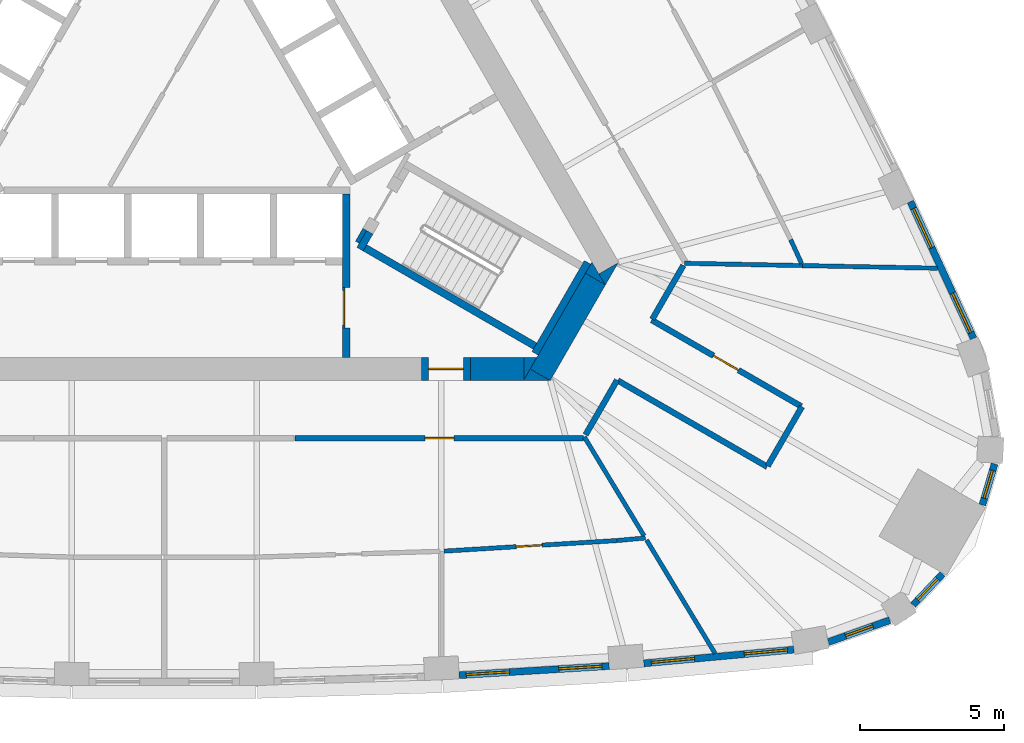
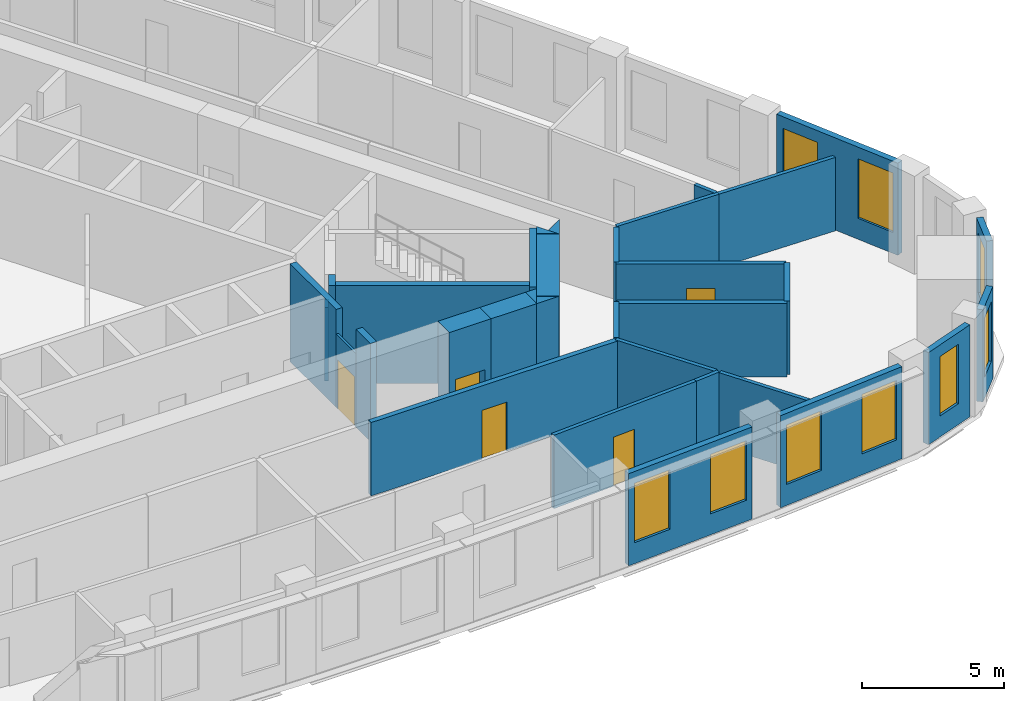
# One storey, part 6 of 10: 33 walls, 9 windows, 5 doors, 14 openings.
"""IFC4 building model written with IfcOpenShell, lengths in metres."""

from ifc_helpers import new_model, si_unit, direction, frame, frame_2d, origin, place, context, subcontext, project, spatial, polyline, rectangle, outline, extrude, material, layer, layer_set, type_object, element, fill, save


model = new_model("IFC4")

# Units and contexts
model_context = context("Model", 3, precision=1e-05, world=origin(), true_north=direction((0.0, 1.0)))
body_context = subcontext(model_context, "Body", "Model", "MODEL_VIEW")
ifc_project = project(units=[si_unit("LENGTHUNIT", "METRE"), si_unit("AREAUNIT", "SQUARE_METRE"), si_unit("VOLUMEUNIT", "CUBIC_METRE"), si_unit("PLANEANGLEUNIT", "RADIAN"), si_unit("MASSUNIT", "GRAM", prefix="KILO")], contexts=[model_context])

# Site, building, storey
site_placement = place(None, origin())
site = spatial("IfcSite", under=ifc_project, at=site_placement, CompositionType="ELEMENT")
building_placement = place(site_placement, origin())
building = spatial("IfcBuilding", under=site, at=building_placement, Name="Mestral Congress Tower", CompositionType="ELEMENT")
storey_placement = place(building_placement, frame((0.0, 0.0, 158.39990234375)))
storey = spatial("IfcBuildingStorey", under=building, at=storey_placement, Name="L37", CompositionType="ELEMENT", Elevation=158.39990234375)

# Wall
ifc_material_1 = material(Name="Fire-rated board partition")
ifc_layer_1 = layer(ifc_material_1, 0.14990234375)
ifc_layer_set_1 = layer_set([ifc_layer_1], Name="Fire-rated board partition")
wall_type_1 = type_object("IfcWallType", Name="Core partition 150", PredefinedType="PARTITIONING", material=ifc_layer_set_1)
wall_1_placement = place(storey_placement, frame((6.94482421875, -5.22216796875, 0.0), z_axis=(0.0, 0.0, 1.0), x_axis=(-0.499818422106, -0.866130212453, 0.0)))
element("IfcWall", 1, at=wall_1_placement, inside=storey, type_object=wall_type_1, Name="L37 core wall", PredefinedType="PARTITIONING", context=body_context, shape_type="SweptSolid", body=[
    extrude(rectangle(XDim=0.513916015625, YDim=0.14990234375, at=frame_2d((0.2568359375, 0.0))), origin(), (0.0, 0.0, 1.0), 3.150146484375),
])

# Wall, opening, door
ifc_layer_2 = layer(ifc_material_1, 0.090087890625)
ifc_layer_set_2 = layer_set([ifc_layer_2], Name="Fire-rated board partition")
wall_type_2 = type_object("IfcWallType", Name="Core partition 150 door-wall 90", PredefinedType="PARTITIONING", material=ifc_layer_set_2)
wall_2_placement = place(storey_placement, frame((6.219970703125, -7.23681640625, 0.0), z_axis=(0.0, 0.0, 1.0), x_axis=(0.0, -1.0, 0.0)))
wall_2 = element("IfcWall", 2, at=wall_2_placement, inside=storey, type_object=wall_type_2, Name="L37 door wall", PredefinedType="PARTITIONING", context=body_context, shape_type="SweptSolid", body=[
    extrude(rectangle(XDim=1.400146484375, YDim=0.090087890625, at=frame_2d((0.7001953125, 0.0))), origin(), (0.0, 0.0, 1.0), 3.150146484375),
])
opening_1_placement = place(wall_2_placement, frame((0.10009765625, 0.0, 0.0)))
opening_1 = element("IfcOpeningElement", 3, at=opening_1_placement, cuts=wall_2, Name="Opening LB0-WL1", PredefinedType="OPENING", context=body_context, shape_type="SweptSolid", body=[
    extrude(rectangle(XDim=1.199951171875, YDim=2.10009765625, at=frame_2d((0.60009765625, 1.050048828125))), frame((0.0, 0.054931640625, 0.0), z_axis=(0.0, -1.0, 0.0), x_axis=(1.0, 0.0, 0.0)), (0.0, 0.0, 1.0), 0.110107421875),
])
ifc_material_2 = material(Name="Fire-rated steel door set", Category="steel")
door_type_1 = type_object("IfcDoorType", Name="Core door LB 1200x2100", OperationType="SINGLE_SWING_LEFT", PredefinedType="DOOR", material=ifc_material_2)
door_1_placement = place(opening_1_placement, origin())
door_1 = element("IfcDoor", 4, at=door_1_placement, inside=storey, type_object=door_type_1, Name="Door LB0-WL1", OperationType="SINGLE_SWING_LEFT", OverallHeight=2.10009765625, OverallWidth=1.199951171875, PredefinedType="DOOR", context=body_context, shape_type="SweptSolid", body=[
    extrude(rectangle(XDim=1.199951171875, YDim=2.10009765625, at=frame_2d((0.60009765625, 1.050048828125))), frame((0.0, 0.02490234375, 0.0), z_axis=(0.0, -1.0, 0.0), x_axis=(1.0, 0.0, 0.0)), (0.0, 0.0, 1.0), 0.050048828125),
])
fill(opening_1, door_1)

# Walls
ifc_material_3 = material(Name="Concrete C60/75", Category="concrete")
ifc_layer_3 = layer(ifc_material_3, 0.800048828125)
ifc_layer_set_3 = layer_set([ifc_layer_3], Name="Concrete C60/75")
wall_type_3 = type_object("IfcWallType", Name="Core wall RC 800", PredefinedType="SOLIDWALL", material=ifc_layer_set_3)
placement = place(storey_placement, origin())
element("IfcWall", 5, at=placement, inside=storey, type_object=wall_type_3, Name="L37 core wall", PredefinedType="SOLIDWALL", context=body_context, shape_type="SweptSolid", body=[
    extrude(outline(polyline([(15.27099609375, -7.14990234375), (15.046875, -6.761962890625), (15.718994140625, -6.3740234375), (15.27099609375, -7.14990234375)])), origin(), (0.0, 0.0, 1.0), 4.2001953125),
])
wall_4_placement = place(storey_placement, frame((13.018310546875, -10.251708984375, 0.0), z_axis=(0.0, 0.0, 1.0), x_axis=(0.499984020225, 0.866034629516, 0.0)))
element("IfcWall", 6, at=wall_4_placement, inside=storey, type_object=wall_type_3, Name="L37 core wall", PredefinedType="SOLIDWALL", context=body_context, shape_type="SweptSolid", body=[
    extrude(rectangle(XDim=3.824462890625, YDim=0.800048828125, at=frame_2d((1.912109375, 0.0))), origin(), (0.0, 0.0, 1.0), 4.2001953125),
])
element("IfcWall", 7, at=placement, inside=storey, type_object=wall_type_3, Name="L37 core wall", PredefinedType="SOLIDWALL", context=body_context, shape_type="SweptSolid", body=[
    extrude(outline(polyline([(12.44189453125, -10.449951171875), (12.6708984375, -10.053466796875), (13.35791015625, -10.449951171875), (12.44189453125, -10.449951171875)])), origin(), (0.0, 0.0, 1.0), 4.2001953125),
])
element("IfcWall", 8, at=placement, inside=storey, type_object=wall_type_3, Name="L37 core wall", PredefinedType="SOLIDWALL", context=body_context, shape_type="SweptSolid", body=[
    extrude(outline(polyline([(14.80908203125, -6.35009765625), (15.257080078125, -7.1259765625), (14.5849609375, -6.738037109375), (14.80908203125, -6.35009765625)])), origin(), (0.0, 0.0, 1.0), 4.2001953125),
])
wall_7_placement = place(storey_placement, frame((10.6044921875, -10.050048828125, 0.0), z_axis=(0.0, 0.0, 1.0), x_axis=(1.0, 0.0, 0.0)))
element("IfcWall", 9, at=wall_7_placement, inside=storey, type_object=wall_type_3, Name="L37 core wall", PredefinedType="SOLIDWALL", context=body_context, shape_type="SweptSolid", body=[
    extrude(rectangle(XDim=1.849365234375, YDim=0.800048828125, at=frame_2d((0.9248046875, 0.0))), origin(), (0.0, 0.0, 1.0), 4.2001953125),
])
element("IfcWall", 10, at=placement, inside=storey, type_object=wall_type_3, Name="L37 core wall", PredefinedType="SOLIDWALL", context=body_context, shape_type="SweptSolid", body=[
    extrude(outline(polyline([(12.90380859375, -9.64990234375), (12.455810546875, -10.42578125), (12.455810546875, -9.64990234375), (12.90380859375, -9.64990234375)])), origin(), (0.0, 0.0, 1.0), 4.2001953125),
])

# Wall, opening, door
wall_9_placement = place(storey_placement, frame((10.6044921875, -10.050048828125, 0.0), z_axis=(0.0, 0.0, 1.0), x_axis=(-1.0, 0.0, 0.0)))
wall_9 = element("IfcWall", 11, at=wall_9_placement, inside=storey, type_object=wall_type_3, Name="L37 door wall", PredefinedType="SOLIDWALL", context=body_context, shape_type="SweptSolid", body=[
    extrude(rectangle(XDim=1.699951171875, YDim=0.800048828125, at=frame_2d((0.85009765625, 0.0))), origin(), (0.0, 0.0, 1.0), 4.2001953125),
])
opening_2_placement = place(wall_9_placement, frame((0.25, 0.0, 0.0)))
opening_2 = element("IfcOpeningElement", 12, at=opening_2_placement, cuts=wall_9, Name="Opening XD1", PredefinedType="OPENING", context=body_context, shape_type="SweptSolid", body=[
    extrude(rectangle(XDim=1.199951171875, YDim=2.10009765625, at=frame_2d((0.60009765625, 1.050048828125))), frame((0.0, 0.409912109375, 0.0), z_axis=(0.0, -1.0, 0.0), x_axis=(1.0, 0.0, 0.0)), (0.0, 0.0, 1.0), 0.820068359375),
])
door_type_2 = type_object("IfcDoorType", Name="Core door XD 1200x2100", OperationType="SINGLE_SWING_LEFT", PredefinedType="DOOR", material=ifc_material_2)
door_2_placement = place(opening_2_placement, origin())
door_2 = element("IfcDoor", 13, at=door_2_placement, inside=storey, type_object=door_type_2, Name="Door XD1", OperationType="SINGLE_SWING_LEFT", OverallHeight=2.10009765625, OverallWidth=1.199951171875, PredefinedType="DOOR", context=body_context, shape_type="SweptSolid", body=[
    extrude(rectangle(XDim=1.199951171875, YDim=2.10009765625, at=frame_2d((0.60009765625, 1.050048828125))), frame((0.0, 0.02490234375, 0.0), z_axis=(0.0, -1.0, 0.0), x_axis=(1.0, 0.0, 0.0)), (0.0, 0.0, 1.0), 0.050048828125),
])
fill(opening_2, door_2)

# Wall, openings, windows
ifc_material_4 = material(Name="Precast concrete C40/50 with limestone facing", Category="masonry")
ifc_layer_4 = layer(ifc_material_4, 0.239990234375)
ifc_layer_set_4 = layer_set([ifc_layer_4], Name="Precast concrete C40/50 with limestone facing")
wall_type_4 = type_object("IfcWallType", Name="Facade stone wall 240", PredefinedType="SOLIDWALL", material=ifc_layer_set_4)
wall_10_placement = place(storey_placement, frame((10.210693359375, -20.656005859375, 0.0), z_axis=(0.0, 0.0, 1.0), x_axis=(0.998135294646, 0.061040425794, 0.0)))
wall_10 = element("IfcWall", 14, at=wall_10_placement, inside=storey, type_object=wall_type_4, Name="Facade wall F0-05", PredefinedType="SOLIDWALL", context=body_context, shape_type="SweptSolid", body=[
    extrude(rectangle(XDim=5.20361328125, YDim=0.239990234375, at=frame_2d((2.601806640625, 0.0))), origin(), (0.0, 0.0, 1.0), 3.9501953125),
])
opening_3_placement = place(wall_10_placement, frame((0.248291015625, 0.0, 0.89990234375)))
opening_3 = element("IfcOpeningElement", 15, at=opening_3_placement, cuts=wall_10, Name="Opening W4", PredefinedType="OPENING", context=body_context, shape_type="SweptSolid", body=[
    extrude(rectangle(XDim=1.5, YDim=2.550048828125, at=frame_2d((0.75, 1.27490234375))), frame((0.0, 0.1298828125, 0.0), z_axis=(0.0, -1.0, 0.0), x_axis=(1.0, 0.0, 0.0)), (0.0, 0.0, 1.0), 0.260009765625),
])
opening_4_placement = place(wall_10_placement, frame((3.455078125, 0.0, 0.89990234375)))
opening_4 = element("IfcOpeningElement", 16, at=opening_4_placement, cuts=wall_10, Name="Opening W4", PredefinedType="OPENING", context=body_context, shape_type="SweptSolid", body=[
    extrude(rectangle(XDim=1.5, YDim=2.550048828125, at=frame_2d((0.75, 1.27490234375))), frame((0.0, 0.1298828125, 0.0), z_axis=(0.0, -1.0, 0.0), x_axis=(1.0, 0.0, 0.0)), (0.0, 0.0, 1.0), 0.260009765625),
])
ifc_material_5 = material(Name="Clear low-emissivity double glazing", Category="glass")
window_type_1 = type_object("IfcWindowType", Name="Facade punched window 1500 x 2550 sill 900", PartitioningType="SINGLE_PANEL", PredefinedType="WINDOW", material=ifc_material_5)
window_1_placement = place(opening_3_placement, origin())
window_1 = element("IfcWindow", 17, at=window_1_placement, inside=storey, type_object=window_type_1, Name="Window F0-05a", OverallHeight=2.550048828125, OverallWidth=1.5, PartitioningType="SINGLE_PANEL", PredefinedType="WINDOW", context=body_context, shape_type="SweptSolid", body=[
    extrude(rectangle(XDim=1.5, YDim=2.550048828125, at=frame_2d((0.75, 1.27490234375))), frame((0.0, 0.0400390625, 0.0), z_axis=(0.0, -1.0, 0.0), x_axis=(1.0, 0.0, 0.0)), (0.0, 0.0, 1.0), 0.06005859375),
])
fill(opening_3, window_1)
window_2_placement = place(opening_4_placement, origin())
window_2 = element("IfcWindow", 18, at=window_2_placement, inside=storey, type_object=window_type_1, Name="Window F0-05b", OverallHeight=2.550048828125, OverallWidth=1.5, PartitioningType="SINGLE_PANEL", PredefinedType="WINDOW", context=body_context, shape_type="SweptSolid", body=[
    extrude(rectangle(XDim=1.5, YDim=2.550048828125, at=frame_2d((0.75, 1.27490234375))), frame((0.0, 0.0400390625, 0.0), z_axis=(0.0, -1.0, 0.0), x_axis=(1.0, 0.0, 0.0)), (0.0, 0.0, 1.0), 0.06005859375),
])
fill(opening_4, window_2)

wall_11_placement = place(storey_placement, frame((16.605712890625, -20.24658203125, 0.0), z_axis=(0.0, 0.0, 1.0), x_axis=(0.995808712151, 0.091460422067, 0.0)))
wall_11 = element("IfcWall", 19, at=wall_11_placement, inside=storey, type_object=wall_type_4, Name="Facade wall F0-06", PredefinedType="SOLIDWALL", context=body_context, shape_type="SweptSolid", body=[
    extrude(rectangle(XDim=5.213134765625, YDim=0.239990234375, at=frame_2d((2.6064453125, 0.0))), origin(), (0.0, 0.0, 1.0), 3.9501953125),
])
opening_5_placement = place(wall_11_placement, frame((0.2607421875, 0.0, 0.89990234375)))
opening_5 = element("IfcOpeningElement", 20, at=opening_5_placement, cuts=wall_11, Name="Opening W4", PredefinedType="OPENING", context=body_context, shape_type="SweptSolid", body=[
    extrude(rectangle(XDim=1.5, YDim=2.550048828125, at=frame_2d((0.75, 1.27490234375))), frame((0.0, 0.1298828125, 0.0), z_axis=(0.0, -1.0, 0.0), x_axis=(1.0, 0.0, 0.0)), (0.0, 0.0, 1.0), 0.260009765625),
])
opening_6_placement = place(wall_11_placement, frame((3.492431640625, 0.0, 0.89990234375)))
opening_6 = element("IfcOpeningElement", 21, at=opening_6_placement, cuts=wall_11, Name="Opening W4", PredefinedType="OPENING", context=body_context, shape_type="SweptSolid", body=[
    extrude(rectangle(XDim=1.5, YDim=2.550048828125, at=frame_2d((0.75, 1.27490234375))), frame((0.0, 0.1298828125, 0.0), z_axis=(0.0, -1.0, 0.0), x_axis=(1.0, 0.0, 0.0)), (0.0, 0.0, 1.0), 0.260009765625),
])
window_3_placement = place(opening_5_placement, origin())
window_3 = element("IfcWindow", 22, at=window_3_placement, inside=storey, type_object=window_type_1, Name="Window F0-06a", OverallHeight=2.550048828125, OverallWidth=1.5, PartitioningType="SINGLE_PANEL", PredefinedType="WINDOW", context=body_context, shape_type="SweptSolid", body=[
    extrude(rectangle(XDim=1.5, YDim=2.550048828125, at=frame_2d((0.75, 1.27490234375))), frame((0.0, 0.0400390625, 0.0), z_axis=(0.0, -1.0, 0.0), x_axis=(1.0, 0.0, 0.0)), (0.0, 0.0, 1.0), 0.06005859375),
])
fill(opening_5, window_3)
window_4_placement = place(opening_6_placement, origin())
window_4 = element("IfcWindow", 23, at=window_4_placement, inside=storey, type_object=window_type_1, Name="Window F0-06b", OverallHeight=2.550048828125, OverallWidth=1.5, PartitioningType="SINGLE_PANEL", PredefinedType="WINDOW", context=body_context, shape_type="SweptSolid", body=[
    extrude(rectangle(XDim=1.5, YDim=2.550048828125, at=frame_2d((0.75, 1.27490234375))), frame((0.0, 0.0400390625, 0.0), z_axis=(0.0, -1.0, 0.0), x_axis=(1.0, 0.0, 0.0)), (0.0, 0.0, 1.0), 0.06005859375),
])
fill(opening_6, window_4)

# Wall, opening, window
wall_12_placement = place(storey_placement, frame((23.0009765625, -19.50537109375, 0.0), z_axis=(0.0, 0.0, 1.0), x_axis=(0.942099727267, 0.335332825539, 0.0)))
wall_12 = element("IfcWall", 24, at=wall_12_placement, inside=storey, type_object=wall_type_4, Name="Facade wall K0-0", PredefinedType="SOLIDWALL", context=body_context, shape_type="SweptSolid", body=[
    extrude(rectangle(XDim=2.25048828125, YDim=0.239990234375, at=frame_2d((1.125244140625, 0.0))), origin(), (0.0, 0.0, 1.0), 3.9501953125),
])
opening_7_placement = place(wall_12_placement, frame((0.625244140625, 0.0, 0.89990234375)))
opening_7 = element("IfcOpeningElement", 25, at=opening_7_placement, cuts=wall_12, Name="Opening W5", PredefinedType="OPENING", context=body_context, shape_type="SweptSolid", body=[
    extrude(rectangle(XDim=1.0, YDim=2.550048828125, at=frame_2d((0.5, 1.27490234375))), frame((0.0, 0.1298828125, 0.0), z_axis=(0.0, -1.0, 0.0), x_axis=(1.0, 0.0, 0.0)), (0.0, 0.0, 1.0), 0.260009765625),
])
window_type_2 = type_object("IfcWindowType", Name="Facade punched window 1000 x 2550 sill 900", PartitioningType="SINGLE_PANEL", PredefinedType="WINDOW", material=ifc_material_5)
window_5_placement = place(opening_7_placement, origin())
window_5 = element("IfcWindow", 26, at=window_5_placement, inside=storey, type_object=window_type_2, Name="Window K0-0", OverallHeight=2.550048828125, OverallWidth=1.0, PartitioningType="SINGLE_PANEL", PredefinedType="WINDOW", context=body_context, shape_type="SweptSolid", body=[
    extrude(rectangle(XDim=1.0, YDim=2.550048828125, at=frame_2d((0.5, 1.27490234375))), frame((0.0, 0.0400390625, 0.0), z_axis=(0.0, -1.0, 0.0), x_axis=(1.0, 0.0, 0.0)), (0.0, 0.0, 1.0), 0.06005859375),
])
fill(opening_7, window_5)

wall_13_placement = place(storey_placement, frame((25.9267578125, -18.226318359375, 0.0), z_axis=(0.0, 0.0, 1.0), x_axis=(0.687986858937, 0.725723144133, 0.0)))
wall_13 = element("IfcWall", 27, at=wall_13_placement, inside=storey, type_object=wall_type_4, Name="Facade wall K0-1", PredefinedType="SOLIDWALL", context=body_context, shape_type="SweptSolid", body=[
    extrude(rectangle(XDim=1.4814453125, YDim=0.239990234375, at=frame_2d((0.74072265625, 0.0))), origin(), (0.0, 0.0, 1.0), 3.9501953125),
])
opening_8_placement = place(wall_13_placement, frame((0.24072265625, 0.0, 0.89990234375)))
opening_8 = element("IfcOpeningElement", 28, at=opening_8_placement, cuts=wall_13, Name="Opening W5", PredefinedType="OPENING", context=body_context, shape_type="SweptSolid", body=[
    extrude(rectangle(XDim=1.0, YDim=2.550048828125, at=frame_2d((0.5, 1.27490234375))), frame((0.0, 0.1298828125, 0.0), z_axis=(0.0, -1.0, 0.0), x_axis=(1.0, 0.0, 0.0)), (0.0, 0.0, 1.0), 0.260009765625),
])
window_6_placement = place(opening_8_placement, origin())
window_6 = element("IfcWindow", 29, at=window_6_placement, inside=storey, type_object=window_type_2, Name="Window K0-1", OverallHeight=2.550048828125, OverallWidth=1.0, PartitioningType="SINGLE_PANEL", PredefinedType="WINDOW", context=body_context, shape_type="SweptSolid", body=[
    extrude(rectangle(XDim=1.0, YDim=2.550048828125, at=frame_2d((0.5, 1.27490234375))), frame((0.0, 0.0400390625, 0.0), z_axis=(0.0, -1.0, 0.0), x_axis=(1.0, 0.0, 0.0)), (0.0, 0.0, 1.0), 0.06005859375),
])
fill(opening_8, window_6)

wall_14_placement = place(storey_placement, frame((28.326416015625, -14.760498046875, 0.0), z_axis=(0.0, 0.0, 1.0), x_axis=(0.284413721403, 0.958701640281, 0.0)))
wall_14 = element("IfcWall", 30, at=wall_14_placement, inside=storey, type_object=wall_type_4, Name="Facade wall K0-2", PredefinedType="SOLIDWALL", context=body_context, shape_type="SweptSolid", body=[
    extrude(rectangle(XDim=1.481689453125, YDim=0.239990234375, at=frame_2d((0.74072265625, 0.0))), origin(), (0.0, 0.0, 1.0), 3.9501953125),
])
opening_9_placement = place(wall_14_placement, frame((0.24072265625, 0.0, 0.89990234375)))
opening_9 = element("IfcOpeningElement", 31, at=opening_9_placement, cuts=wall_14, Name="Opening W5", PredefinedType="OPENING", context=body_context, shape_type="SweptSolid", body=[
    extrude(rectangle(XDim=1.0, YDim=2.550048828125, at=frame_2d((0.5, 1.27490234375))), frame((0.0, 0.1298828125, 0.0), z_axis=(0.0, -1.0, 0.0), x_axis=(1.0, 0.0, 0.0)), (0.0, 0.0, 1.0), 0.260009765625),
])
window_7_placement = place(opening_9_placement, origin())
window_7 = element("IfcWindow", 32, at=window_7_placement, inside=storey, type_object=window_type_2, Name="Window K0-2", OverallHeight=2.550048828125, OverallWidth=1.0, PartitioningType="SINGLE_PANEL", PredefinedType="WINDOW", context=body_context, shape_type="SweptSolid", body=[
    extrude(rectangle(XDim=1.0, YDim=2.550048828125, at=frame_2d((0.5, 1.27490234375))), frame((0.0, 0.0400390625, 0.0), z_axis=(0.0, -1.0, 0.0), x_axis=(1.0, 0.0, 0.0)), (0.0, 0.0, 1.0), 0.06005859375),
])
fill(opening_9, window_7)

# Wall, openings, windows
wall_15_placement = place(storey_placement, frame((28.019775390625, -8.991943359375, 0.0), z_axis=(0.0, 0.0, 1.0), x_axis=(-0.418722559465, 0.908114209885, 0.0)))
wall_15 = element("IfcWall", 33, at=wall_15_placement, inside=storey, type_object=wall_type_4, Name="Facade wall F1-00", PredefinedType="SOLIDWALL", context=body_context, shape_type="SweptSolid", body=[
    extrude(rectangle(XDim=5.213134765625, YDim=0.239990234375, at=frame_2d((2.6064453125, 0.0))), origin(), (0.0, 0.0, 1.0), 3.9501953125),
])
opening_10_placement = place(wall_15_placement, frame((0.220947265625, 0.0, 0.89990234375)))
opening_10 = element("IfcOpeningElement", 34, at=opening_10_placement, cuts=wall_15, Name="Opening W4", PredefinedType="OPENING", context=body_context, shape_type="SweptSolid", body=[
    extrude(rectangle(XDim=1.5, YDim=2.550048828125, at=frame_2d((0.75, 1.27490234375))), frame((0.0, 0.1298828125, 0.0), z_axis=(0.0, -1.0, 0.0), x_axis=(1.0, 0.0, 0.0)), (0.0, 0.0, 1.0), 0.260009765625),
])
opening_11_placement = place(wall_15_placement, frame((3.452392578125, 0.0, 0.89990234375)))
opening_11 = element("IfcOpeningElement", 35, at=opening_11_placement, cuts=wall_15, Name="Opening W4", PredefinedType="OPENING", context=body_context, shape_type="SweptSolid", body=[
    extrude(rectangle(XDim=1.5, YDim=2.550048828125, at=frame_2d((0.75, 1.27490234375))), frame((0.0, 0.1298828125, 0.0), z_axis=(0.0, -1.0, 0.0), x_axis=(1.0, 0.0, 0.0)), (0.0, 0.0, 1.0), 0.260009765625),
])
window_8_placement = place(opening_10_placement, origin())
window_8 = element("IfcWindow", 36, at=window_8_placement, inside=storey, type_object=window_type_1, Name="Window F1-00a", OverallHeight=2.550048828125, OverallWidth=1.5, PartitioningType="SINGLE_PANEL", PredefinedType="WINDOW", context=body_context, shape_type="SweptSolid", body=[
    extrude(rectangle(XDim=1.5, YDim=2.550048828125, at=frame_2d((0.75, 1.27490234375))), frame((0.0, 0.0400390625, 0.0), z_axis=(0.0, -1.0, 0.0), x_axis=(1.0, 0.0, 0.0)), (0.0, 0.0, 1.0), 0.06005859375),
])
fill(opening_10, window_8)
window_9_placement = place(opening_11_placement, origin())
window_9 = element("IfcWindow", 37, at=window_9_placement, inside=storey, type_object=window_type_1, Name="Window F1-00b", OverallHeight=2.550048828125, OverallWidth=1.5, PartitioningType="SINGLE_PANEL", PredefinedType="WINDOW", context=body_context, shape_type="SweptSolid", body=[
    extrude(rectangle(XDim=1.5, YDim=2.550048828125, at=frame_2d((0.75, 1.27490234375))), frame((0.0, 0.0400390625, 0.0), z_axis=(0.0, -1.0, 0.0), x_axis=(1.0, 0.0, 0.0)), (0.0, 0.0, 1.0), 0.06005859375),
])
fill(opening_11, window_9)

# Wall, opening, door
ifc_material_6 = material(Name="Plasterboard partition on steel studs", Category="steel")
ifc_layer_5 = layer(ifc_material_6, 0.14990234375)
ifc_layer_set_5 = layer_set([ifc_layer_5], Name="Plasterboard partition on steel studs")
wall_type_5 = type_object("IfcWallType", Name="Office partition 150", PredefinedType="PARTITIONING", material=ifc_layer_set_5)
wall_16_placement = place(storey_placement, frame((15.676513671875, -15.99365234375, 0.0), z_axis=(0.0, 0.0, 1.0), x_axis=(-0.998135339661, -0.061039689709, 0.0)))
wall_16 = element("IfcWall", 38, at=wall_16_placement, inside=storey, type_object=wall_type_5, Name="Partition", PredefinedType="PARTITIONING", context=body_context, shape_type="SweptSolid", body=[
    extrude(rectangle(XDim=5.99560546875, YDim=0.14990234375, at=frame_2d((2.997802734375, 0.0))), origin(), (0.0, 0.0, 1.0), 3.150146484375),
])
opening_12_placement = place(wall_16_placement, frame((2.595458984375, 0.0, 0.0)))
opening_12 = element("IfcOpeningElement", 39, at=opening_12_placement, cuts=wall_16, Name="Opening O02-002", PredefinedType="OPENING", context=body_context, shape_type="SweptSolid", body=[
    extrude(rectangle(XDim=0.89990234375, YDim=2.10009765625, at=frame_2d((0.449951171875, 1.050048828125))), frame((0.0, 0.0849609375, 0.0), z_axis=(0.0, -1.0, 0.0), x_axis=(1.0, 0.0, 0.0)), (0.0, 0.0, 1.0), 0.169921875),
])
ifc_material_7 = material(Name="Timber door set", Category="wood")
door_type_3 = type_object("IfcDoorType", Name="Office door 900x2100", OperationType="SINGLE_SWING_LEFT", PredefinedType="DOOR", material=ifc_material_7)
door_3_placement = place(opening_12_placement, origin())
door_3 = element("IfcDoor", 40, at=door_3_placement, inside=storey, type_object=door_type_3, Name="Door O02-002", OperationType="SINGLE_SWING_RIGHT", OverallHeight=2.10009765625, OverallWidth=0.89990234375, PredefinedType="DOOR", context=body_context, shape_type="SweptSolid", body=[
    extrude(rectangle(XDim=0.89990234375, YDim=2.10009765625, at=frame_2d((0.449951171875, 1.050048828125))), frame((0.0, 0.02490234375, 0.0), z_axis=(0.0, -1.0, 0.0), x_axis=(1.0, 0.0, 0.0)), (0.0, 0.0, 1.0), 0.050048828125),
])
fill(opening_12, door_3)

# Walls
wall_17_placement = place(storey_placement, frame((15.676513671875, -15.99365234375, 0.0), z_axis=(0.0, 0.0, 1.0), x_axis=(0.995813637999, 0.091406774234, 0.0)))
element("IfcWall", 41, at=wall_17_placement, inside=storey, type_object=wall_type_5, Name="Partition", PredefinedType="PARTITIONING", context=body_context, shape_type="SweptSolid", body=[
    extrude(rectangle(XDim=0.985595703125, YDim=0.14990234375, at=frame_2d((0.49267578125, 0.0))), origin(), (0.0, 0.0, 1.0), 3.150146484375),
])
wall_18_placement = place(storey_placement, frame((16.700927734375, -15.974853515625, 0.0), z_axis=(0.0, 0.0, 1.0), x_axis=(0.516819763142, -0.856094231043, 0.0)))
element("IfcWall", 42, at=wall_18_placement, inside=storey, type_object=wall_type_5, Name="Partition", PredefinedType="PARTITIONING", context=body_context, shape_type="SweptSolid", body=[
    extrude(rectangle(XDim=4.58447265625, YDim=0.14990234375, at=frame_2d((2.292236328125, 0.0))), origin(), (0.0, 0.0, 1.0), 3.150146484375),
])
wall_19_placement = place(storey_placement, frame((14.546142578125, -12.405517578125, 0.0), z_axis=(0.0, 0.0, 1.0), x_axis=(0.516843798305, -0.856079720676, 0.0)))
element("IfcWall", 43, at=wall_19_placement, inside=storey, type_object=wall_type_5, Name="Partition", PredefinedType="PARTITIONING", context=body_context, shape_type="SweptSolid", body=[
    extrude(rectangle(XDim=4.0029296875, YDim=0.14990234375, at=frame_2d((2.00146484375, 0.0))), origin(), (0.0, 0.0, 1.0), 3.150146484375),
])
wall_20_placement = place(storey_placement, frame((22.097412109375, -6.474365234375, 0.0), z_axis=(0.0, 0.0, 1.0), x_axis=(0.999810044283, -0.019490391268, 0.0)))
element("IfcWall", 44, at=wall_20_placement, inside=storey, type_object=wall_type_5, Name="Partition", PredefinedType="PARTITIONING", context=body_context, shape_type="SweptSolid", body=[
    extrude(rectangle(XDim=4.67236328125, YDim=0.14990234375, at=frame_2d((2.336181640625, 0.0))), origin(), (0.0, 0.0, 1.0), 3.150146484375),
])
wall_21_placement = place(storey_placement, frame((18.016357421875, -6.39453125, 0.0), z_axis=(0.0, 0.0, 1.0), x_axis=(0.999808348885, -0.019577167837, 0.0)))
element("IfcWall", 45, at=wall_21_placement, inside=storey, type_object=wall_type_5, Name="Partition", PredefinedType="PARTITIONING", context=body_context, shape_type="SweptSolid", body=[
    extrude(rectangle(XDim=4.09033203125, YDim=0.14990234375, at=frame_2d((2.045166015625, 0.0))), origin(), (0.0, 0.0, 1.0), 3.150146484375),
])
wall_22_placement = place(storey_placement, frame((22.06689453125, -6.398681640625, 0.0), z_axis=(0.0, 0.0, 1.0), x_axis=(-0.418629119493, 0.908157288311, 0.0)))
element("IfcWall", 46, at=wall_22_placement, inside=storey, type_object=wall_type_5, Name="Partition", PredefinedType="PARTITIONING", context=body_context, shape_type="SweptSolid", body=[
    extrude(rectangle(XDim=0.902099609375, YDim=0.14990234375, at=frame_2d((0.451171875, 0.0))), origin(), (0.0, 0.0, 1.0), 3.150146484375),
])

# Wall, opening, door
ifc_material_8 = material(Name="Dense masonry wall, plastered", Category="masonry")
ifc_layer_6 = layer(ifc_material_8, 0.199951171875)
ifc_layer_set_6 = layer_set([ifc_layer_6], Name="Dense masonry wall, plastered")
wall_type_6 = type_object("IfcWallType", Name="Office tenancy wall 200", PredefinedType="PARTITIONING", material=ifc_layer_set_6)
wall_23_placement = place(storey_placement, frame((4.530029296875, -12.449951171875, 0.0), z_axis=(0.0, 0.0, 1.0), x_axis=(1.0, 0.0, 0.0)))
wall_23 = element("IfcWall", 47, at=wall_23_placement, inside=storey, type_object=wall_type_6, Name="Tenancy wall", PredefinedType="PARTITIONING", context=body_context, shape_type="SweptSolid", body=[
    extrude(rectangle(XDim=9.990478515625, YDim=0.199951171875, at=frame_2d((4.9951171875, 0.0))), origin(), (0.0, 0.0, 1.0), 3.150146484375),
])
opening_13_placement = place(wall_23_placement, frame((4.5, 0.0, 0.0)))
opening_13 = element("IfcOpeningElement", 48, at=opening_13_placement, cuts=wall_23, Name="Opening O02-003", PredefinedType="OPENING", context=body_context, shape_type="SweptSolid", body=[
    extrude(rectangle(XDim=1.0, YDim=2.10009765625, at=frame_2d((0.5, 1.050048828125))), frame((0.0, 0.10986328125, 0.0), z_axis=(0.0, -1.0, 0.0), x_axis=(1.0, 0.0, 0.0)), (0.0, 0.0, 1.0), 0.219970703125),
])
ifc_material_9 = material(Name="Fire-rated timber door set", Category="wood")
door_type_4 = type_object("IfcDoorType", Name="Office tenancy entrance door 1000x2100", OperationType="SINGLE_SWING_LEFT", PredefinedType="DOOR", material=ifc_material_9)
door_4_placement = place(opening_13_placement, origin())
door_4 = element("IfcDoor", 49, at=door_4_placement, inside=storey, type_object=door_type_4, Name="Door O02-003", OperationType="SINGLE_SWING_RIGHT", OverallHeight=2.10009765625, OverallWidth=1.0, PredefinedType="DOOR", context=body_context, shape_type="SweptSolid", body=[
    extrude(rectangle(XDim=1.0, YDim=2.10009765625, at=frame_2d((0.5, 1.050048828125))), frame((0.0, 0.02490234375, 0.0), z_axis=(0.0, -1.0, 0.0), x_axis=(1.0, 0.0, 0.0)), (0.0, 0.0, 1.0), 0.050048828125),
])
fill(opening_13, door_4)

# Walls
wall_24_placement = place(storey_placement, frame((14.5888671875, -12.331298828125, 0.0), z_axis=(0.0, 0.0, 1.0), x_axis=(0.500044870432, 0.865999496279, 0.0)))
element("IfcWall", 50, at=wall_24_placement, inside=storey, type_object=wall_type_6, Name="Tenancy wall", PredefinedType="PARTITIONING", context=body_context, shape_type="SweptSolid", body=[
    extrude(rectangle(XDim=2.184814453125, YDim=0.199951171875, at=frame_2d((1.09228515625, 0.0))), origin(), (0.0, 0.0, 1.0), 3.150146484375),
])
wall_25_placement = place(storey_placement, frame((15.707275390625, -10.4541015625, 0.0), z_axis=(0.0, 0.0, 1.0), x_axis=(0.866017375886, -0.50001390447, 0.0)))
element("IfcWall", 51, at=wall_25_placement, inside=storey, type_object=wall_type_6, Name="Tenancy wall", PredefinedType="PARTITIONING", context=body_context, shape_type="SweptSolid", body=[
    extrude(rectangle(XDim=5.969970703125, YDim=0.199951171875, at=frame_2d((2.98486328125, 0.0))), origin(), (0.0, 0.0, 1.0), 3.150146484375),
])
wall_26_placement = place(storey_placement, frame((20.892333984375, -13.4130859375, 0.0), z_axis=(0.0, 0.0, 1.0), x_axis=(0.500061319399, 0.865989998118, 0.0)))
element("IfcWall", 52, at=wall_26_placement, inside=storey, type_object=wall_type_6, Name="Tenancy wall", PredefinedType="PARTITIONING", context=body_context, shape_type="SweptSolid", body=[
    extrude(rectangle(XDim=2.369873046875, YDim=0.199951171875, at=frame_2d((1.18505859375, 0.0))), origin(), (0.0, 0.0, 1.0), 3.150146484375),
])

# Wall, opening, door
wall_27_placement = place(storey_placement, frame((22.051513671875, -11.345703125, 0.0), z_axis=(0.0, 0.0, 1.0), x_axis=(-0.86603508376, 0.499983233416, 0.0)))
wall_27 = element("IfcWall", 53, at=wall_27_placement, inside=storey, type_object=wall_type_6, Name="Tenancy wall", PredefinedType="PARTITIONING", context=body_context, shape_type="SweptSolid", body=[
    extrude(rectangle(XDim=5.969970703125, YDim=0.199951171875, at=frame_2d((2.98486328125, 0.0))), origin(), (0.0, 0.0, 1.0), 3.150146484375),
])
opening_14_placement = place(wall_27_placement, frame((2.5, 0.0, 0.0)))
opening_14 = element("IfcOpeningElement", 54, at=opening_14_placement, cuts=wall_27, Name="Opening O02-004", PredefinedType="OPENING", context=body_context, shape_type="SweptSolid", body=[
    extrude(rectangle(XDim=1.0, YDim=2.10009765625, at=frame_2d((0.5, 1.050048828125))), frame((0.0, 0.10986328125, 0.0), z_axis=(0.0, -1.0, 0.0), x_axis=(1.0, 0.0, 0.0)), (0.0, 0.0, 1.0), 0.219970703125),
])
door_5_placement = place(opening_14_placement, origin())
door_5 = element("IfcDoor", 55, at=door_5_placement, inside=storey, type_object=door_type_4, Name="Door O02-004", OperationType="SINGLE_SWING_RIGHT", OverallHeight=2.10009765625, OverallWidth=1.0, PredefinedType="DOOR", context=body_context, shape_type="SweptSolid", body=[
    extrude(rectangle(XDim=1.0, YDim=2.10009765625, at=frame_2d((0.5, 1.050048828125))), frame((0.0, 0.02490234375, 0.0), z_axis=(0.0, -1.0, 0.0), x_axis=(1.0, 0.0, 0.0)), (0.0, 0.0, 1.0), 0.050048828125),
])
fill(opening_14, door_5)

# Walls
wall_28_placement = place(storey_placement, frame((16.896240234375, -8.334716796875, 0.0), z_axis=(0.0, 0.0, 1.0), x_axis=(0.500026504619, 0.866010100794, 0.0)))
element("IfcWall", 56, at=wall_28_placement, inside=storey, type_object=wall_type_6, Name="Tenancy wall", PredefinedType="PARTITIONING", context=body_context, shape_type="SweptSolid", body=[
    extrude(rectangle(XDim=2.15478515625, YDim=0.199951171875, at=frame_2d((1.077392578125, 0.0))), origin(), (0.0, 0.0, 1.0), 3.150146484375),
])
ifc_layer_7 = layer(ifc_material_3, 0.25)
ifc_layer_set_7 = layer_set([ifc_layer_7], Name="Concrete C60/75")
wall_type_7 = type_object("IfcWallType", Name="Shaft wall RC 250", PredefinedType="SOLIDWALL", material=ifc_layer_set_7)
wall_29_placement = place(storey_placement, frame((6.300048828125, -7.239990234375, 0.0), z_axis=(0.0, 0.0, 1.0), x_axis=(0.0, 1.0, 0.0)))
element("IfcWall", 57, at=wall_29_placement, inside=storey, type_object=wall_type_7, Name="L37 core wall", PredefinedType="SOLIDWALL", context=body_context, shape_type="SweptSolid", body=[
    extrude(rectangle(XDim=3.239990234375, YDim=0.25, at=frame_2d((1.6201171875, 0.0))), origin(), (0.0, 0.0, 1.0), 4.2001953125),
])
wall_30_placement = place(storey_placement, frame((6.300048828125, -9.64990234375, 0.0), z_axis=(0.0, 0.0, 1.0), x_axis=(0.0, 1.0, 0.0)))
element("IfcWall", 58, at=wall_30_placement, inside=storey, type_object=wall_type_7, Name="L37 core wall", PredefinedType="SOLIDWALL", context=body_context, shape_type="SweptSolid", body=[
    extrude(rectangle(XDim=1.0078125, YDim=0.25, at=frame_2d((0.50390625, 0.0))), origin(), (0.0, 0.0, 1.0), 4.2001953125),
])
ifc_layer_8 = layer(ifc_material_3, 0.25)
ifc_layer_set_8 = layer_set([ifc_layer_8], Name="Concrete C60/75")
wall_type_8 = type_object("IfcWallType", Name="Stair wall RC 250", PredefinedType="SOLIDWALL", material=ifc_layer_set_8)
wall_31_placement = place(storey_placement, frame((12.839599609375, -9.510986328125, 0.0), z_axis=(0.0, 0.0, 1.0), x_axis=(0.499997733992, 0.866026712061, 0.0)))
element("IfcWall", 59, at=wall_31_placement, inside=storey, type_object=wall_type_8, Name="L37 core wall", PredefinedType="SOLIDWALL", context=body_context, shape_type="SweptSolid", body=[
    extrude(rectangle(XDim=3.6337890625, YDim=0.25, at=frame_2d((1.81689453125, 0.0))), origin(), (0.0, 0.0, 1.0), 4.2001953125),
])
wall_32_placement = place(storey_placement, frame((12.83984375, -9.2607421875, 0.0), z_axis=(0.0, 0.0, 1.0), x_axis=(-0.866013990052, 0.500019768644, 0.0)))
element("IfcWall", 60, at=wall_32_placement, inside=storey, type_object=wall_type_8, Name="L37 core wall", PredefinedType="SOLIDWALL", context=body_context, shape_type="SweptSolid", body=[
    extrude(rectangle(XDim=6.800048828125, YDim=0.25, at=frame_2d((3.39990234375, 0.0))), origin(), (0.0, 0.0, 1.0), 4.2001953125),
])
wall_33_placement = place(storey_placement, frame((6.780029296875, -5.906494140625, 0.0), z_axis=(0.0, 0.0, 1.0), x_axis=(0.500223362819, 0.865896406789, 0.0)))
element("IfcWall", 61, at=wall_33_placement, inside=storey, type_object=wall_type_8, Name="L37 core wall", PredefinedType="SOLIDWALL", context=body_context, shape_type="SweptSolid", body=[
    extrude(rectangle(XDim=0.675048828125, YDim=0.25, at=frame_2d((0.33740234375, 0.0))), origin(), (0.0, 0.0, 1.0), 4.2001953125),
])

save(model, "model.ifc")
